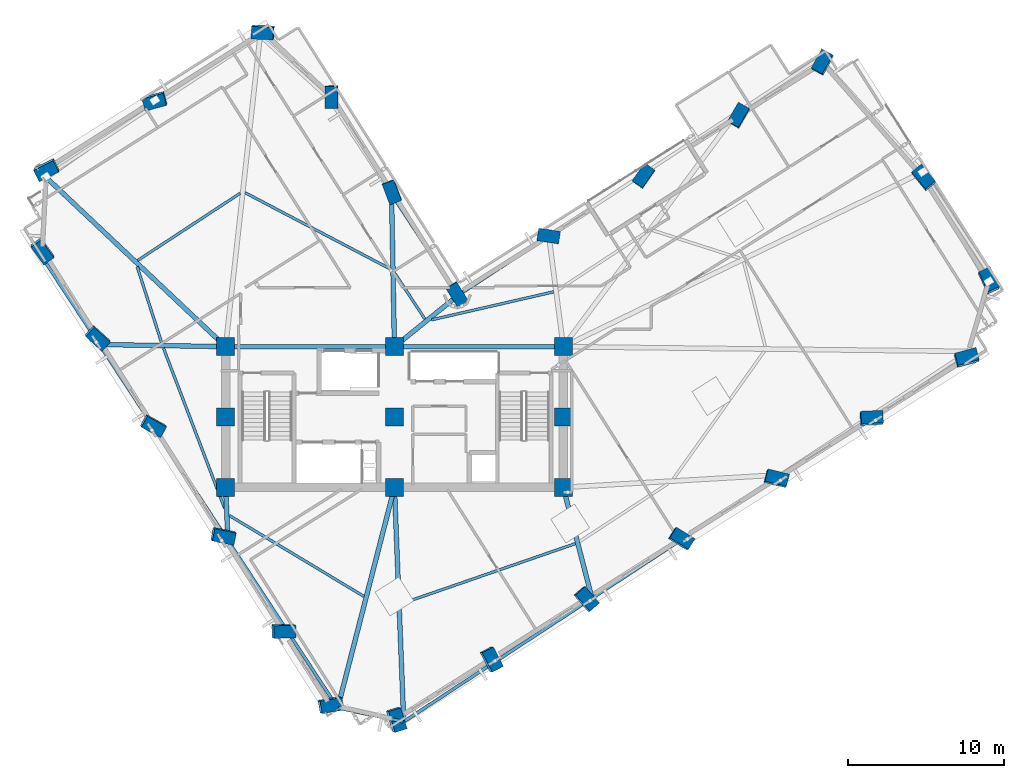
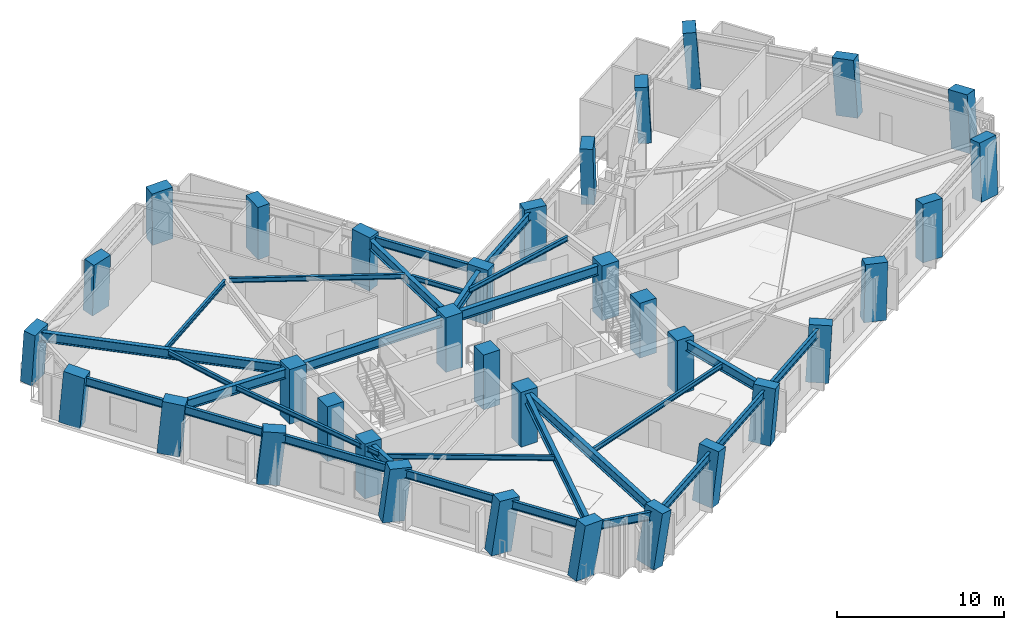
# One storey, part 1 of 14: 34 columns, 29 beams.
"""IFC4 building model written with IfcOpenShell, lengths in metres."""

from ifc_helpers import new_model, si_unit, direction, frame, origin, origin_2d, place, context, subcontext, project, spatial, rectangle, i_section, extrude, material, material_profile, profile_set, type_object, element, save


model = new_model("IFC4")

# Units and contexts
model_context = context("Model", 3, precision=1e-05, world=origin(), true_north=direction((0.0, 1.0)))
body_context = subcontext(model_context, "Body", "Model", "MODEL_VIEW")
ifc_project = project(units=[si_unit("LENGTHUNIT", "METRE"), si_unit("AREAUNIT", "SQUARE_METRE"), si_unit("VOLUMEUNIT", "CUBIC_METRE"), si_unit("PLANEANGLEUNIT", "RADIAN"), si_unit("MASSUNIT", "GRAM", prefix="KILO")], contexts=[model_context])

# Site, building, storey
site_placement = place(None, origin())
site = spatial("IfcSite", under=ifc_project, at=site_placement, CompositionType="ELEMENT")
building_placement = place(site_placement, origin())
building = spatial("IfcBuilding", under=site, at=building_placement, Name="Gaonmaruhae Medical Tower", CompositionType="ELEMENT")
storey_placement = place(building_placement, frame((0.0, 0.0, 161.800048828125)))
storey = spatial("IfcBuildingStorey", under=building, at=storey_placement, Name="L38", CompositionType="ELEMENT", Elevation=161.800048828125)

# Columns
ifc_material_1 = material(Name="Concrete C50/60", Category="concrete")
ifc_material_profile_1 = material_profile(ifc_material_1, rectangle(XDim=1.14990234375, YDim=1.14990234375, at=origin_2d()), Name="RC-1150x1150")
ifc_profile_set_1 = profile_set([ifc_material_profile_1], Name="Concrete C50/60")
column_type_1 = type_object("IfcColumnType", Name="CC-04 Zone 3 Core Column (RC-1150x1150)", PredefinedType="COLUMN", material=ifc_profile_set_1)
for number, where, z_axis, x_axis, name in (
    (1, (14.0, 7.800048828125, 0.0), (0.0, 0.0, 1.0), (1.0, 0.0, 0.0), "L38 Plumb Core Column CC11"),
    (2, (14.0, 12.300048828125, 0.0), (0.0, 0.0, 1.0), (1.0, 0.0, 0.0), "L38 Plumb Core Column CC12"),
    (3, (14.0, 16.800048828125, 0.0), (0.0, 0.0, 1.0), (1.0, 0.0, 0.0), "L38 Plumb Core Column CC13"),
    (4, (24.800048828125, 7.800048828125, 0.0), (0.0, 0.0, 1.0), (1.0, 0.0, 0.0), "L38 Plumb Core Column CC21"),
    (5, (24.800048828125, 12.300048828125, 0.0), (0.0, 0.0, 1.0), (1.0, 0.0, 0.0), "L38 Plumb Core Column CC22"),
    (6, (24.800048828125, 16.800048828125, 0.0), (0.0, 0.0, 1.0), (1.0, 0.0, 0.0), "L38 Plumb Core Column CC23"),
    (7, (35.60009765625, 7.800048828125, 0.0), (0.0, 0.0, 1.0), (1.0, 0.0, 0.0), "L38 Plumb Core Column CC31"),
    (8, (35.60009765625, 12.300048828125, 0.0), (0.0, 0.0, 1.0), (1.0, 0.0, 0.0), "L38 Plumb Core Column CC32"),
    (9, (35.60009765625, 16.800048828125, 0.0), (0.0, 0.0, 1.0), (1.0, 0.0, 0.0), "L38 Plumb Core Column CC33"),
):
    element("IfcColumn", number, at=place(storey_placement, frame(where, z_axis=z_axis, x_axis=x_axis)), inside=storey, type_object=column_type_1, Name=name, PredefinedType="COLUMN", context=body_context, shape_type="SweptSolid", body=[
        extrude(rectangle(XDim=1.14990234375, YDim=1.14990234375, at=origin_2d()), origin(), (0.0, 0.0, 1.0), 4.0),
    ])
ifc_material_2 = material(Name="Concrete C60/75", Category="concrete")
ifc_material_profile_2 = material_profile(ifc_material_2, rectangle(XDim=1.39990234375, YDim=0.800048828125, at=origin_2d()), Name="RC-1400x800")
ifc_profile_set_2 = profile_set([ifc_material_profile_2], Name="Concrete C60/75")
column_type_2 = type_object("IfcColumnType", Name="TC-02 Mid Raking Tube Pier Column (RC-1400x800)", PredefinedType="COLUMN", material=ifc_profile_set_2)
column_1_placement = place(storey_placement, frame((24.865234375, -7.04541015625, 0.001708984375), z_axis=(0.131041154362, -0.034742550856, 0.990767970326), x_axis=(-0.295121198358, 0.952709675883, 0.072441367732)))
element("IfcColumn", 10, at=column_1_placement, inside=storey, type_object=column_type_2, Name="L38 Perimeter Tube Column S01", PredefinedType="COLUMN", context=body_context, shape_type="SweptSolid", body=[
    extrude(rectangle(XDim=1.39990234375, YDim=0.800048828125, at=origin_2d()), origin(), (0.0, 0.0, 1.0), 4.03369140625),
])
column_2_placement = place(storey_placement, frame((30.950927734375, -3.197998046875, 0.001708984375), z_axis=(0.115412990856, -0.009951488171, 0.993267743071), x_axis=(-0.456179576848, 0.887732267933, 0.061900033423)))
element("IfcColumn", 11, at=column_2_placement, inside=storey, type_object=column_type_2, Name="L38 Perimeter Tube Column S02", PredefinedType="COLUMN", context=body_context, shape_type="SweptSolid", body=[
    extrude(rectangle(XDim=1.39990234375, YDim=0.800048828125, at=origin_2d()), origin(), (0.0, 0.0, 1.0), 4.0234375),
])
column_3_placement = place(storey_placement, frame((37.036865234375, 0.6494140625, 0.001708984375), z_axis=(0.099498522863, 0.015012910902, 0.994924447611), x_axis=(-0.651800340485, 0.756482122831, 0.053769080154)))
element("IfcColumn", 12, at=column_3_placement, inside=storey, type_object=column_type_2, Name="L38 Perimeter Tube Column S03", PredefinedType="COLUMN", context=body_context, shape_type="SweptSolid", body=[
    extrude(rectangle(XDim=1.39990234375, YDim=0.800048828125, at=origin_2d()), origin(), (0.0, 0.0, 1.0), 4.016845703125),
])
column_4_placement = place(storey_placement, frame((43.122802734375, 4.496826171875, 0.001708984375), z_axis=(0.083457366466, 0.039964642688, 0.995709644082), x_axis=(-0.844943215104, 0.532565627467, 0.049445077517)))
element("IfcColumn", 13, at=column_4_placement, inside=storey, type_object=column_type_2, Name="L38 Perimeter Tube Column S04", PredefinedType="COLUMN", context=body_context, shape_type="SweptSolid", body=[
    extrude(rectangle(XDim=1.39990234375, YDim=0.800048828125, at=origin_2d()), origin(), (0.0, 0.0, 1.0), 4.013671875),
])
column_5_placement = place(storey_placement, frame((49.20849609375, 8.34423828125, 0.001708984375), z_axis=(0.067391750419, 0.064958835241, 0.995609713542), x_axis=(-0.969640103682, 0.239366736431, 0.050016345554)))
element("IfcColumn", 14, at=column_5_placement, inside=storey, type_object=column_type_2, Name="L38 Perimeter Tube Column S05", PredefinedType="COLUMN", context=body_context, shape_type="SweptSolid", body=[
    extrude(rectangle(XDim=1.39990234375, YDim=0.800048828125, at=origin_2d()), origin(), (0.0, 0.0, 1.0), 4.013916015625),
])
column_6_placement = place(storey_placement, frame((55.29443359375, 12.191650390625, 0.001708984375), z_axis=(0.051223513882, 0.089869011899, 0.994635467056), x_axis=(-0.997536992389, -0.04318182071, 0.055274579841)))
element("IfcColumn", 15, at=column_6_placement, inside=storey, type_object=column_type_2, Name="L38 Perimeter Tube Column S06", PredefinedType="COLUMN", context=body_context, shape_type="SweptSolid", body=[
    extrude(rectangle(XDim=1.39990234375, YDim=0.800048828125, at=origin_2d()), origin(), (0.0, 0.0, 1.0), 4.017822265625),
])
column_7_placement = place(storey_placement, frame((61.38037109375, 16.0390625, 0.001708984375), z_axis=(0.035116863046, 0.114569523824, 0.992794354406), x_axis=(-0.963617165192, -0.259503165934, 0.064031756314)))
element("IfcColumn", 16, at=column_7_placement, inside=storey, type_object=column_type_2, Name="L38 Perimeter Tube Column S07", PredefinedType="COLUMN", context=body_context, shape_type="SweptSolid", body=[
    extrude(rectangle(XDim=1.39990234375, YDim=0.800048828125, at=origin_2d()), origin(), (0.0, 0.0, 1.0), 4.025390625),
])
column_8_placement = place(storey_placement, frame((62.817626953125, 20.97021484375, 0.001708984375), z_axis=(0.014796306441, 0.120310950736, 0.99262598417), x_axis=(0.427941166072, -0.897980076646, 0.102460432986)))
element("IfcColumn", 17, at=column_8_placement, inside=storey, type_object=column_type_2, Name="L38 Perimeter Tube Column E01", PredefinedType="COLUMN", context=body_context, shape_type="SweptSolid", body=[
    extrude(rectangle(XDim=1.39990234375, YDim=0.800048828125, at=origin_2d()), origin(), (0.0, 0.0, 1.0), 4.026123046875),
])
column_9_placement = place(storey_placement, frame((58.649658203125, 27.563232421875, 0.001708984375), z_axis=(-0.012212860445, 0.103171328532, 0.994588619988), x_axis=(0.62947347893, -0.772043748813, 0.087815654881)))
element("IfcColumn", 18, at=column_9_placement, inside=storey, type_object=column_type_2, Name="L38 Perimeter Tube Column E02", PredefinedType="COLUMN", context=body_context, shape_type="SweptSolid", body=[
    extrude(rectangle(XDim=1.39990234375, YDim=0.800048828125, at=origin_2d()), origin(), (0.0, 0.0, 1.0), 4.01806640625),
])
column_10_placement = place(storey_placement, frame((52.198486328125, 34.960693359375, 0.001708984375), z_axis=(-0.042538974073, 0.076436268149, 0.996166618893), x_axis=(-0.479731001449, -0.876169648426, 0.046743057512)))
element("IfcColumn", 19, at=column_10_placement, inside=storey, type_object=column_type_2, Name="L38 Perimeter Tube Column E03", PredefinedType="COLUMN", context=body_context, shape_type="SweptSolid", body=[
    extrude(rectangle(XDim=1.39990234375, YDim=0.800048828125, at=origin_2d()), origin(), (0.0, 0.0, 1.0), 4.01171875),
])
column_11_placement = place(storey_placement, frame((46.831298828125, 31.5673828125, 0.001708984375), z_axis=(-0.028475531093, 0.054512044533, 0.998106998838), x_axis=(-0.502261756691, -0.864090923747, 0.032863403107)))
element("IfcColumn", 20, at=column_11_placement, inside=storey, type_object=column_type_2, Name="L38 Perimeter Tube Column EN01", PredefinedType="COLUMN", context=body_context, shape_type="SweptSolid", body=[
    extrude(rectangle(XDim=1.39990234375, YDim=0.800048828125, at=origin_2d()), origin(), (0.0, 0.0, 1.0), 4.00390625),
])
column_12_placement = place(storey_placement, frame((40.745361328125, 27.719970703125, 0.001708984375), z_axis=(-0.012334092579, 0.029491914435, 0.999488917969), x_axis=(-0.573744273025, -0.818856350505, 0.017081756622)))
element("IfcColumn", 21, at=column_12_placement, inside=storey, type_object=column_type_2, Name="L38 Perimeter Tube Column EN02", PredefinedType="COLUMN", context=body_context, shape_type="SweptSolid", body=[
    extrude(rectangle(XDim=1.39990234375, YDim=0.800048828125, at=origin_2d()), origin(), (0.0, 0.0, 1.0), 3.998291015625),
])
column_13_placement = place(storey_placement, frame((34.659423828125, 23.87255859375, 0.001708984375), z_axis=(0.003848671693, 0.004459571961, 0.999982649822), x_axis=(-0.989023621545, 0.147723958903, 0.003147696204)))
element("IfcColumn", 22, at=column_13_placement, inside=storey, type_object=column_type_2, Name="L38 Perimeter Tube Column EN03", PredefinedType="COLUMN", context=body_context, shape_type="SweptSolid", body=[
    extrude(rectangle(XDim=1.39990234375, YDim=0.800048828125, at=origin_2d()), origin(), (0.0, 0.0, 1.0), 3.996337890625),
])
column_14_placement = place(storey_placement, frame((28.784912109375, 20.158935546875, 0.001708984375), z_axis=(0.019419498398, -0.019785904028, 0.99961562667), x_axis=(-0.526167062384, 0.849951040791, 0.027045345657)))
element("IfcColumn", 23, at=column_14_placement, inside=storey, type_object=column_type_2, Name="L38 Perimeter Tube Column KN01", PredefinedType="COLUMN", context=body_context, shape_type="SweptSolid", body=[
    extrude(rectangle(XDim=1.39990234375, YDim=0.800048828125, at=origin_2d()), origin(), (0.0, 0.0, 1.0), 3.997802734375),
])
column_15_placement = place(storey_placement, frame((24.6435546875, 26.709716796875, 0.001708984375), z_axis=(-0.007569840548, -0.037177684627, 0.99927999944), x_axis=(-0.355084598959, 0.934283931075, 0.032069669727)))
element("IfcColumn", 24, at=column_15_placement, inside=storey, type_object=column_type_2, Name="L38 Perimeter Tube Column NE01", PredefinedType="COLUMN", context=body_context, shape_type="SweptSolid", body=[
    extrude(rectangle(XDim=1.39990234375, YDim=0.800048828125, at=origin_2d()), origin(), (0.0, 0.0, 1.0), 3.999267578125),
])
column_16_placement = place(storey_placement, frame((20.79638671875, 32.79541015625, 0.001708984375), z_axis=(-0.032680886403, -0.053228384011, 0.998047443161), x_axis=(-0.013972747304, 0.998507590936, 0.05279538972)))
element("IfcColumn", 25, at=column_16_placement, inside=storey, type_object=column_type_2, Name="L38 Perimeter Tube Column NE02", PredefinedType="COLUMN", context=body_context, shape_type="SweptSolid", body=[
    extrude(rectangle(XDim=1.39990234375, YDim=0.800048828125, at=origin_2d()), origin(), (0.0, 0.0, 1.0), 4.004150390625),
])
column_17_placement = place(storey_placement, frame((16.40234375, 36.938720703125, 0.001708984375), z_axis=(-0.049539835521, -0.071449345089, 0.996213228071), x_axis=(0.997943557889, -0.044161717518, 0.046458561901)))
element("IfcColumn", 26, at=column_17_placement, inside=storey, type_object=column_type_2, Name="L38 Perimeter Tube Column N01", PredefinedType="COLUMN", context=body_context, shape_type="SweptSolid", body=[
    extrude(rectangle(XDim=1.39990234375, YDim=0.800048828125, at=origin_2d()), origin(), (0.0, 0.0, 1.0), 4.011474609375),
])
column_18_placement = place(storey_placement, frame((9.47119140625, 32.556884765625, 0.001708984375), z_axis=(-0.03110757171, -0.099702197609, 0.994530940079), x_axis=(0.965182566959, 0.255554230871, 0.055809027255)))
element("IfcColumn", 27, at=column_18_placement, inside=storey, type_object=column_type_2, Name="L38 Perimeter Tube Column N02", PredefinedType="COLUMN", context=body_context, shape_type="SweptSolid", body=[
    extrude(rectangle(XDim=1.39990234375, YDim=0.800048828125, at=origin_2d()), origin(), (0.0, 0.0, 1.0), 4.018310546875),
])
column_19_placement = place(storey_placement, frame((2.540283203125, 28.17529296875, 0.001708984375), z_axis=(-0.012843975388, -0.127833905984, 0.991712420401), x_axis=(0.894004208126, 0.44276781931, 0.068652268976)))
element("IfcColumn", 28, at=column_19_placement, inside=storey, type_object=column_type_2, Name="L38 Perimeter Tube Column N03", PredefinedType="COLUMN", context=body_context, shape_type="SweptSolid", body=[
    extrude(rectangle(XDim=1.39990234375, YDim=0.800048828125, at=origin_2d()), origin(), (0.0, 0.0, 1.0), 4.02978515625),
])
column_20_placement = place(storey_placement, frame((2.275390625, 22.979736328125, 0.001708984375), z_axis=(0.008541919001, -0.128674013889, 0.991650156945), x_axis=(-0.588700103877, 0.800968548813, 0.109002621561)))
element("IfcColumn", 29, at=column_20_placement, inside=storey, type_object=column_type_2, Name="L38 Perimeter Tube Column W01", PredefinedType="COLUMN", context=body_context, shape_type="SweptSolid", body=[
    extrude(rectangle(XDim=1.39990234375, YDim=0.800048828125, at=origin_2d()), origin(), (0.0, 0.0, 1.0), 4.030029296875),
])
column_21_placement = place(storey_placement, frame((5.80224609375, 17.401123046875, 0.001708984375), z_axis=(0.031361950908, -0.114164780676, 0.992966681661), x_axis=(-0.737594296746, 0.667787272041, 0.100074036129)))
element("IfcColumn", 30, at=column_21_placement, inside=storey, type_object=column_type_2, Name="L38 Perimeter Tube Column W02", PredefinedType="COLUMN", context=body_context, shape_type="SweptSolid", body=[
    extrude(rectangle(XDim=1.39990234375, YDim=0.800048828125, at=origin_2d()), origin(), (0.0, 0.0, 1.0), 4.024658203125),
])
column_22_placement = place(storey_placement, frame((9.355712890625, 11.780029296875, 0.001708984375), z_axis=(0.054445838239, -0.099362137343, 0.993560675732), x_axis=(-0.872179225903, 0.479720383709, 0.095769261028)))
element("IfcColumn", 31, at=column_22_placement, inside=storey, type_object=column_type_2, Name="L38 Perimeter Tube Column W03", PredefinedType="COLUMN", context=body_context, shape_type="SweptSolid", body=[
    extrude(rectangle(XDim=1.39990234375, YDim=0.800048828125, at=origin_2d()), origin(), (0.0, 0.0, 1.0), 4.022216796875),
])
column_23_placement = place(storey_placement, frame((13.817626953125, 4.72216796875, 0.001708984375), z_axis=(0.083311503867, -0.080763009212, 0.99324545288), x_axis=(-0.974731905422, 0.200695041451, 0.098077586066)))
element("IfcColumn", 32, at=column_23_placement, inside=storey, type_object=column_type_2, Name="L38 Perimeter Tube Column W04", PredefinedType="COLUMN", context=body_context, shape_type="SweptSolid", body=[
    extrude(rectangle(XDim=1.39990234375, YDim=0.800048828125, at=origin_2d()), origin(), (0.0, 0.0, 1.0), 4.0234375),
])
column_24_placement = place(storey_placement, frame((17.6650390625, -1.36376953125, 0.001708984375), z_axis=(0.108118596457, -0.064604497659, 0.992036606171), x_axis=(-0.993905880301, -0.028587345082, 0.106460625609)))
element("IfcColumn", 33, at=column_24_placement, inside=storey, type_object=column_type_2, Name="L38 Perimeter Tube Column W05", PredefinedType="COLUMN", context=body_context, shape_type="SweptSolid", body=[
    extrude(rectangle(XDim=1.39990234375, YDim=0.800048828125, at=origin_2d()), origin(), (0.0, 0.0, 1.0), 4.0283203125),
])
column_25_placement = place(storey_placement, frame((20.657470703125, -6.09716796875, 0.001708984375), z_axis=(0.127254561202, -0.052039430639, 0.990504000149), x_axis=(-0.977200843493, -0.177690095592, 0.116209902355)))
element("IfcColumn", 34, at=column_25_placement, inside=storey, type_object=column_type_2, Name="L38 Perimeter Tube Column W06", PredefinedType="COLUMN", context=body_context, shape_type="SweptSolid", body=[
    extrude(rectangle(XDim=1.39990234375, YDim=0.800048828125, at=origin_2d()), origin(), (0.0, 0.0, 1.0), 4.03466796875),
])

# Beams
ifc_material_3 = material(Name="Steel SM355", Category="steel")
ifc_material_profile_3 = material_profile(ifc_material_3, i_section(OverallWidth=0.175048828125, OverallDepth=0.35009765625, WebThickness=0.007080078125, FlangeThickness=0.010986328125, FilletRadius=0.012939453125, at=origin_2d()), Name="H-350x175x7x11")
ifc_profile_set_3 = profile_set([ifc_material_profile_3], Name="Steel SM355")
beam_type_1 = type_object("IfcBeamType", Name="FJ-02 Upper Zone Ward Floor Joist (H-350x175x7x11)", PredefinedType="JOIST", material=ifc_profile_set_3)
beam_1_placement = place(storey_placement, frame((25.250732421875, 0.3603515625, 3.60498046875), z_axis=(0.945139425023, 0.326667211802, 0.0), x_axis=(-0.326667211802, 0.945139425023, 0.0)))
element("IfcBeam", 35, at=beam_1_placement, inside=storey, type_object=beam_type_1, Name="L38 Secondary Floor Joist FJ01", PredefinedType="JOIST", context=body_context, shape_type="SweptSolid", body=[
    extrude(i_section(OverallWidth=0.175048828125, OverallDepth=0.35009765625, WebThickness=0.007080078125, FlangeThickness=0.010986328125, FilletRadius=0.012939453125, at=origin_2d()), origin(), (0.0, 0.0, 1.0), 11.76513671875),
])
beam_2_placement = place(storey_placement, frame((34.984619140625, 20.31005859375, 3.60498046875), z_axis=(-0.974683947375, -0.22358712559, 0.0), x_axis=(0.22358712559, -0.974683947375, 0.0)))
element("IfcBeam", 36, at=beam_2_placement, inside=storey, type_object=beam_type_1, Name="L38 Secondary Floor Joist FJ07", PredefinedType="JOIST", context=body_context, shape_type="SweptSolid", body=[
    extrude(i_section(OverallWidth=0.175048828125, OverallDepth=0.35009765625, WebThickness=0.007080078125, FlangeThickness=0.010986328125, FilletRadius=0.012939453125, at=origin_2d()), origin(), (0.0, 0.0, 1.0), 8.016845703125),
])
beam_3_placement = place(storey_placement, frame((26.745361328125, 18.57080078125, 3.60498046875), z_axis=(-0.548278636176, 0.836295723481, 0.0), x_axis=(-0.836295723481, -0.548278636176, 0.0)))
element("IfcBeam", 37, at=beam_3_placement, inside=storey, type_object=beam_type_1, Name="L38 Secondary Floor Joist FJ08", PredefinedType="JOIST", context=body_context, shape_type="SweptSolid", body=[
    extrude(i_section(OverallWidth=0.175048828125, OverallDepth=0.35009765625, WebThickness=0.007080078125, FlangeThickness=0.010986328125, FilletRadius=0.012939453125, at=origin_2d()), origin(), (0.0, 0.0, 1.0), 3.430419921875),
])
beam_4_placement = place(storey_placement, frame((24.5498046875, 21.762939453125, 3.60498046875), z_axis=(-0.885290992481, 0.46503748089, 0.0), x_axis=(-0.46503748089, -0.885290992481, 0.0)))
element("IfcBeam", 38, at=beam_4_placement, inside=storey, type_object=beam_type_1, Name="L38 Secondary Floor Joist FJ09", PredefinedType="JOIST", context=body_context, shape_type="SweptSolid", body=[
    extrude(i_section(OverallWidth=0.175048828125, OverallDepth=0.35009765625, WebThickness=0.007080078125, FlangeThickness=0.010986328125, FilletRadius=0.012939453125, at=origin_2d()), origin(), (0.0, 0.0, 1.0), 10.505126953125),
])
beam_5_placement = place(storey_placement, frame((14.93408203125, 26.615966796875, 3.60498046875), z_axis=(-0.836294699054, -0.548280198743, 0.0), x_axis=(0.548280198743, -0.836294699054, 0.0)))
element("IfcBeam", 39, at=beam_5_placement, inside=storey, type_object=beam_type_1, Name="L38 Secondary Floor Joist FJ10", PredefinedType="JOIST", context=body_context, shape_type="SweptSolid", body=[
    extrude(i_section(OverallWidth=0.175048828125, OverallDepth=0.35009765625, WebThickness=0.007080078125, FlangeThickness=0.010986328125, FilletRadius=0.012939453125, at=origin_2d()), origin(), (0.0, 0.0, 1.0), 7.839111328125),
])
beam_6_placement = place(storey_placement, frame((8.341064453125, 21.928466796875, 3.60498046875), z_axis=(0.305593081, -0.952162207213, 0.0), x_axis=(0.952162207213, 0.305593081, 0.0)))
element("IfcBeam", 40, at=beam_6_placement, inside=storey, type_object=beam_type_1, Name="L38 Secondary Floor Joist FJ11", PredefinedType="JOIST", context=body_context, shape_type="SweptSolid", body=[
    extrude(i_section(OverallWidth=0.175048828125, OverallDepth=0.35009765625, WebThickness=0.007080078125, FlangeThickness=0.010986328125, FilletRadius=0.012939453125, at=origin_2d()), origin(), (0.0, 0.0, 1.0), 5.1474609375),
])
beam_7_placement = place(storey_placement, frame((10.024169921875, 16.714111328125, 3.60498046875), z_axis=(0.356633355836, -0.934244427067, 0.0), x_axis=(0.934244427067, 0.356633355836, 0.0)))
element("IfcBeam", 41, at=beam_7_placement, inside=storey, type_object=beam_type_1, Name="L38 Secondary Floor Joist FJ12", PredefinedType="JOIST", context=body_context, shape_type="SweptSolid", body=[
    extrude(i_section(OverallWidth=0.175048828125, OverallDepth=0.35009765625, WebThickness=0.007080078125, FlangeThickness=0.010986328125, FilletRadius=0.012939453125, at=origin_2d()), origin(), (0.0, 0.0, 1.0), 10.9619140625),
])
beam_8_placement = place(storey_placement, frame((14.23583984375, 6.002685546875, 3.60498046875), z_axis=(0.857211853088, -0.514963920023, 0.0), x_axis=(0.514963920023, 0.857211853088, 0.0)))
element("IfcBeam", 42, at=beam_8_placement, inside=storey, type_object=beam_type_1, Name="L38 Secondary Floor Joist FJ13", PredefinedType="JOIST", context=body_context, shape_type="SweptSolid", body=[
    extrude(i_section(OverallWidth=0.175048828125, OverallDepth=0.35009765625, WebThickness=0.007080078125, FlangeThickness=0.010986328125, FilletRadius=0.012939453125, at=origin_2d()), origin(), (0.0, 0.0, 1.0), 10.044677734375),
])
ifc_material_4 = material(Name="Steel SM420", Category="steel")
ifc_material_profile_4 = material_profile(ifc_material_4, i_section(OverallWidth=0.300048828125, OverallDepth=0.699951171875, WebThickness=0.012939453125, FlangeThickness=0.02392578125, FilletRadius=0.01806640625, at=origin_2d()), Name="H-700x300x13x24")
ifc_profile_set_4 = profile_set([ifc_material_profile_4], Name="Steel SM420")
beam_type_2 = type_object("IfcBeamType", Name="PG-03 Zone 3 Radial Floor Girder (H-700x300x13x24)", PredefinedType="BEAM", material=ifc_profile_set_4)
for number, where, z_axis, x_axis, name in (
    (43, (14.050048828125, 16.800048828125, 3.429931640625), (1.0, 0.0, 0.0), (0.0, 1.0, 0.0), "L38 Beam BM-L38-CG-N1"),
    (44, (24.85009765625, 16.800048828125, 3.429931640625), (1.0, 0.0, 0.0), (0.0, 1.0, 0.0), "L38 Beam BM-L38-CG-N2"),
):
    element("IfcBeam", number, at=place(storey_placement, frame(where, z_axis=z_axis, x_axis=x_axis)), inside=storey, type_object=beam_type_2, Name=name, PredefinedType="BEAM", context=body_context, shape_type="SweptSolid", body=[
        extrude(i_section(OverallWidth=0.300048828125, OverallDepth=0.699951171875, WebThickness=0.012939453125, FlangeThickness=0.02392578125, FilletRadius=0.01806640625, at=origin_2d()), origin(), (0.0, 0.0, 1.0), 10.699951171875),
    ])
beam_9_placement = place(storey_placement, frame((24.802001953125, 7.75, 3.429931640625), z_axis=(0.03961003696, -0.999215214542, 0.0), x_axis=(0.999215214542, 0.03961003696, 0.0)))
element("IfcBeam", 45, at=beam_9_placement, inside=storey, type_object=beam_type_2, Name="L38 Radial Primary Girder S01", PredefinedType="BEAM", context=body_context, shape_type="SweptSolid", body=[
    extrude(i_section(OverallWidth=0.300048828125, OverallDepth=0.699951171875, WebThickness=0.012939453125, FlangeThickness=0.02392578125, FilletRadius=0.01806640625, at=origin_2d()), origin(), (0.0, 0.0, 1.0), 14.8974609375),
])
beam_10_placement = place(storey_placement, frame((35.612548828125, 7.751708984375, 3.429931640625), z_axis=(0.250748705538, -0.968052212781, 0.0), x_axis=(0.968052212781, 0.250748705538, 0.0)))
element("IfcBeam", 46, at=beam_10_placement, inside=storey, type_object=beam_type_2, Name="L38 Radial Primary Girder S03", PredefinedType="BEAM", context=body_context, shape_type="SweptSolid", body=[
    extrude(i_section(OverallWidth=0.300048828125, OverallDepth=0.699951171875, WebThickness=0.012939453125, FlangeThickness=0.02392578125, FilletRadius=0.01806640625, at=origin_2d()), origin(), (0.0, 0.0, 1.0), 7.224365234375),
])
beam_11_placement = place(storey_placement, frame((24.8388671875, 16.831298828125, 3.429931640625), z_axis=(0.778084556767, 0.628159551802, 0.0), x_axis=(-0.628159551802, 0.778084556767, 0.0)))
element("IfcBeam", 47, at=beam_11_placement, inside=storey, type_object=beam_type_2, Name="L38 Radial Primary Girder KN01", PredefinedType="BEAM", context=body_context, shape_type="SweptSolid", body=[
    extrude(i_section(OverallWidth=0.300048828125, OverallDepth=0.699951171875, WebThickness=0.012939453125, FlangeThickness=0.02392578125, FilletRadius=0.01806640625, at=origin_2d()), origin(), (0.0, 0.0, 1.0), 5.121337890625),
])
beam_12_placement = place(storey_placement, frame((24.799072265625, 16.85009765625, 3.429931640625), z_axis=(-0.019126671574, 0.999817068485, 0.0), x_axis=(-0.999817068485, -0.019126671574, 0.0)))
element("IfcBeam", 48, at=beam_12_placement, inside=storey, type_object=beam_type_2, Name="L38 Radial Primary Girder NE01", PredefinedType="BEAM", context=body_context, shape_type="SweptSolid", body=[
    extrude(i_section(OverallWidth=0.300048828125, OverallDepth=0.699951171875, WebThickness=0.012939453125, FlangeThickness=0.02392578125, FilletRadius=0.01806640625, at=origin_2d()), origin(), (0.0, 0.0, 1.0), 9.66259765625),
])
beam_13_placement = place(storey_placement, frame((13.963623046875, 16.834228515625, 3.429931640625), z_axis=(-0.727385464558, 0.686229106021, 0.0), x_axis=(-0.686229106021, -0.727385464558, 0.0)))
element("IfcBeam", 49, at=beam_13_placement, inside=storey, type_object=beam_type_2, Name="L38 Radial Primary Girder N03", PredefinedType="BEAM", context=body_context, shape_type="SweptSolid", body=[
    extrude(i_section(OverallWidth=0.300048828125, OverallDepth=0.699951171875, WebThickness=0.012939453125, FlangeThickness=0.02392578125, FilletRadius=0.01806640625, at=origin_2d()), origin(), (0.0, 0.0, 1.0), 15.725830078125),
])
beam_14_placement = place(storey_placement, frame((13.949951171875, 16.80078125, 3.429931640625), z_axis=(-0.999846584536, 0.017515918237, 0.0), x_axis=(-0.017515918237, -0.999846584536, 0.0)))
element("IfcBeam", 50, at=beam_14_placement, inside=storey, type_object=beam_type_2, Name="L38 Radial Primary Girder W02", PredefinedType="BEAM", context=body_context, shape_type="SweptSolid", body=[
    extrude(i_section(OverallWidth=0.300048828125, OverallDepth=0.699951171875, WebThickness=0.012939453125, FlangeThickness=0.02392578125, FilletRadius=0.01806640625, at=origin_2d()), origin(), (0.0, 0.0, 1.0), 7.97265625),
])
beam_15_placement = place(storey_placement, frame((14.002197265625, 7.75, 3.429931640625), z_axis=(0.044968876379, -0.9989883884, 0.0), x_axis=(0.9989883884, 0.044968876379, 0.0)))
element("IfcBeam", 51, at=beam_15_placement, inside=storey, type_object=beam_type_2, Name="L38 Radial Primary Girder W04", PredefinedType="BEAM", context=body_context, shape_type="SweptSolid", body=[
    extrude(i_section(OverallWidth=0.300048828125, OverallDepth=0.699951171875, WebThickness=0.012939453125, FlangeThickness=0.02392578125, FilletRadius=0.01806640625, at=origin_2d()), origin(), (0.0, 0.0, 1.0), 3.306396484375),
])
beam_16_placement = place(storey_placement, frame((24.78759765625, 7.75146484375, 3.429931640625), z_axis=(-0.249125613403, -0.968471181165, 0.0), x_axis=(0.968471181165, -0.249125613403, 0.0)))
element("IfcBeam", 52, at=beam_16_placement, inside=storey, type_object=beam_type_2, Name="L38 Radial Primary Girder W06", PredefinedType="BEAM", context=body_context, shape_type="SweptSolid", body=[
    extrude(i_section(OverallWidth=0.300048828125, OverallDepth=0.699951171875, WebThickness=0.012939453125, FlangeThickness=0.02392578125, FilletRadius=0.01806640625, at=origin_2d()), origin(), (0.0, 0.0, 1.0), 14.466552734375),
])
ifc_material_profile_5 = material_profile(ifc_material_3, i_section(OverallWidth=0.199951171875, OverallDepth=0.60009765625, WebThickness=0.010986328125, FlangeThickness=0.01708984375, FilletRadius=0.012939453125, at=origin_2d()), Name="H-600x200x11x17")
ifc_profile_set_5 = profile_set([ifc_material_profile_5], Name="Steel SM355")
beam_type_3 = type_object("IfcBeamType", Name="SP-01 Lower Perimeter Spandrel Beam (H-600x200x11x17)", PredefinedType="SPANDREL", material=ifc_profile_set_5)
for number, where, z_axis, x_axis, name in (
    (53, (25.427490234375, -7.163818359375, 3.47998046875), (0.836288185245, 0.548290134162, 0.0), (-0.548290134162, 0.836288185245, 0.0), "L38 Perimeter Spandrel Beam S01-S02"),
    (54, (31.448974609375, -3.216064453125, 3.47998046875), (0.836288185245, 0.548290134162, 0.0), (-0.548290134162, 0.836288185245, 0.0), "L38 Perimeter Spandrel Beam S02-S03"),
    (55, (37.47021484375, 0.731689453125, 3.47998046875), (0.836288185245, 0.548290134162, 0.0), (-0.548290134162, 0.836288185245, 0.0), "L38 Perimeter Spandrel Beam S03-S04"),
):
    element("IfcBeam", number, at=place(storey_placement, frame(where, z_axis=z_axis, x_axis=x_axis)), inside=storey, type_object=beam_type_3, Name=name, PredefinedType="SPANDREL", context=body_context, shape_type="SweptSolid", body=[
        extrude(i_section(OverallWidth=0.199951171875, OverallDepth=0.60009765625, WebThickness=0.010986328125, FlangeThickness=0.01708984375, FilletRadius=0.012939453125, at=origin_2d()), origin(), (0.0, 0.0, 1.0), 7.119873046875),
    ])
beam_17_placement = place(storey_placement, frame((34.641357421875, 23.868408203125, 3.47998046875), z_axis=(-0.836284703697, -0.548295444412, 0.0), x_axis=(0.548295444412, -0.836284703697, 0.0)))
element("IfcBeam", 56, at=beam_17_placement, inside=storey, type_object=beam_type_3, Name="L38 Perimeter Spandrel Beam EN03-KN01", PredefinedType="SPANDREL", context=body_context, shape_type="SweptSolid", body=[
    extrude(i_section(OverallWidth=0.199951171875, OverallDepth=0.60009765625, WebThickness=0.010986328125, FlangeThickness=0.01708984375, FilletRadius=0.012939453125, at=origin_2d()), origin(), (0.0, 0.0, 1.0), 6.8701171875),
])
beam_18_placement = place(storey_placement, frame((28.840576171875, 20.113037109375, 3.47998046875), z_axis=(-0.548285803017, 0.836291024829, 0.0), x_axis=(-0.836291024829, -0.548285803017, 0.0)))
element("IfcBeam", 57, at=beam_18_placement, inside=storey, type_object=beam_type_3, Name="L38 Perimeter Spandrel Beam KN01-NE01", PredefinedType="SPANDREL", context=body_context, shape_type="SweptSolid", body=[
    extrude(i_section(OverallWidth=0.199951171875, OverallDepth=0.60009765625, WebThickness=0.010986328125, FlangeThickness=0.01708984375, FilletRadius=0.012939453125, at=origin_2d()), origin(), (0.0, 0.0, 1.0), 7.669921875),
])
beam_19_placement = place(storey_placement, frame((2.331787109375, 22.427490234375, 3.47998046875), z_axis=(0.548298151855, -0.836282928603, 0.0), x_axis=(0.836282928603, 0.548298151855, 0.0)))
element("IfcBeam", 58, at=beam_19_placement, inside=storey, type_object=beam_type_3, Name="L38 Perimeter Spandrel Beam W01-W02", PredefinedType="SPANDREL", context=body_context, shape_type="SweptSolid", body=[
    extrude(i_section(OverallWidth=0.199951171875, OverallDepth=0.60009765625, WebThickness=0.010986328125, FlangeThickness=0.01708984375, FilletRadius=0.012939453125, at=origin_2d()), origin(), (0.0, 0.0, 1.0), 6.52001953125),
])
beam_20_placement = place(storey_placement, frame((5.950439453125, 16.907958984375, 3.47998046875), z_axis=(0.548295190411, -0.836284870228, 0.0), x_axis=(0.836284870228, 0.548295190411, 0.0)))
element("IfcBeam", 59, at=beam_20_placement, inside=storey, type_object=beam_type_3, Name="L38 Perimeter Spandrel Beam W02-W03", PredefinedType="SPANDREL", context=body_context, shape_type="SweptSolid", body=[
    extrude(i_section(OverallWidth=0.199951171875, OverallDepth=0.60009765625, WebThickness=0.010986328125, FlangeThickness=0.01708984375, FilletRadius=0.012939453125, at=origin_2d()), origin(), (0.0, 0.0, 1.0), 6.570068359375),
])
beam_21_placement = place(storey_placement, frame((9.5966796875, 11.3466796875, 3.47998046875), z_axis=(0.548300442603, -0.836281426698, 0.0), x_axis=(0.836281426698, 0.548300442603, 0.0)))
element("IfcBeam", 60, at=beam_21_placement, inside=storey, type_object=beam_type_3, Name="L38 Perimeter Spandrel Beam W03-W04", PredefinedType="SPANDREL", context=body_context, shape_type="SweptSolid", body=[
    extrude(i_section(OverallWidth=0.199951171875, OverallDepth=0.60009765625, WebThickness=0.010986328125, FlangeThickness=0.01708984375, FilletRadius=0.012939453125, at=origin_2d()), origin(), (0.0, 0.0, 1.0), 8.27001953125),
])
beam_22_placement = place(storey_placement, frame((14.175048828125, 4.36376953125, 3.47998046875), z_axis=(0.548290134162, -0.836288185245, 0.0), x_axis=(0.836288185245, 0.548290134162, 0.0)))
element("IfcBeam", 61, at=beam_22_placement, inside=storey, type_object=beam_type_3, Name="L38 Perimeter Spandrel Beam W04-W05", PredefinedType="SPANDREL", context=body_context, shape_type="SweptSolid", body=[
    extrude(i_section(OverallWidth=0.199951171875, OverallDepth=0.60009765625, WebThickness=0.010986328125, FlangeThickness=0.01708984375, FilletRadius=0.012939453125, at=origin_2d()), origin(), (0.0, 0.0, 1.0), 7.119873046875),
])
beam_23_placement = place(storey_placement, frame((18.12255859375, -1.657470703125, 3.47998046875), z_axis=(0.548284456163, -0.836291907847, 0.0), x_axis=(0.836291907847, 0.548284456163, 0.0)))
element("IfcBeam", 62, at=beam_23_placement, inside=storey, type_object=beam_type_3, Name="L38 Perimeter Spandrel Beam W05-W06", PredefinedType="SPANDREL", context=body_context, shape_type="SweptSolid", body=[
    extrude(i_section(OverallWidth=0.199951171875, OverallDepth=0.60009765625, WebThickness=0.010986328125, FlangeThickness=0.01708984375, FilletRadius=0.012939453125, at=origin_2d()), origin(), (0.0, 0.0, 1.0), 5.520263671875),
])
beam_24_placement = place(storey_placement, frame((21.21044921875, -6.3154296875, 3.47998046875), z_axis=(0.979045622861, -0.203641028176, 0.0), x_axis=(0.203641028176, 0.979045622861, 0.0)))
element("IfcBeam", 63, at=beam_24_placement, inside=storey, type_object=beam_type_3, Name="L38 Perimeter Spandrel Beam W06-S01", PredefinedType="SPANDREL", context=body_context, shape_type="SweptSolid", body=[
    extrude(i_section(OverallWidth=0.199951171875, OverallDepth=0.60009765625, WebThickness=0.010986328125, FlangeThickness=0.01708984375, FilletRadius=0.012939453125, at=origin_2d()), origin(), (0.0, 0.0, 1.0), 4.233154296875),
])

save(model, "model.ifc")
